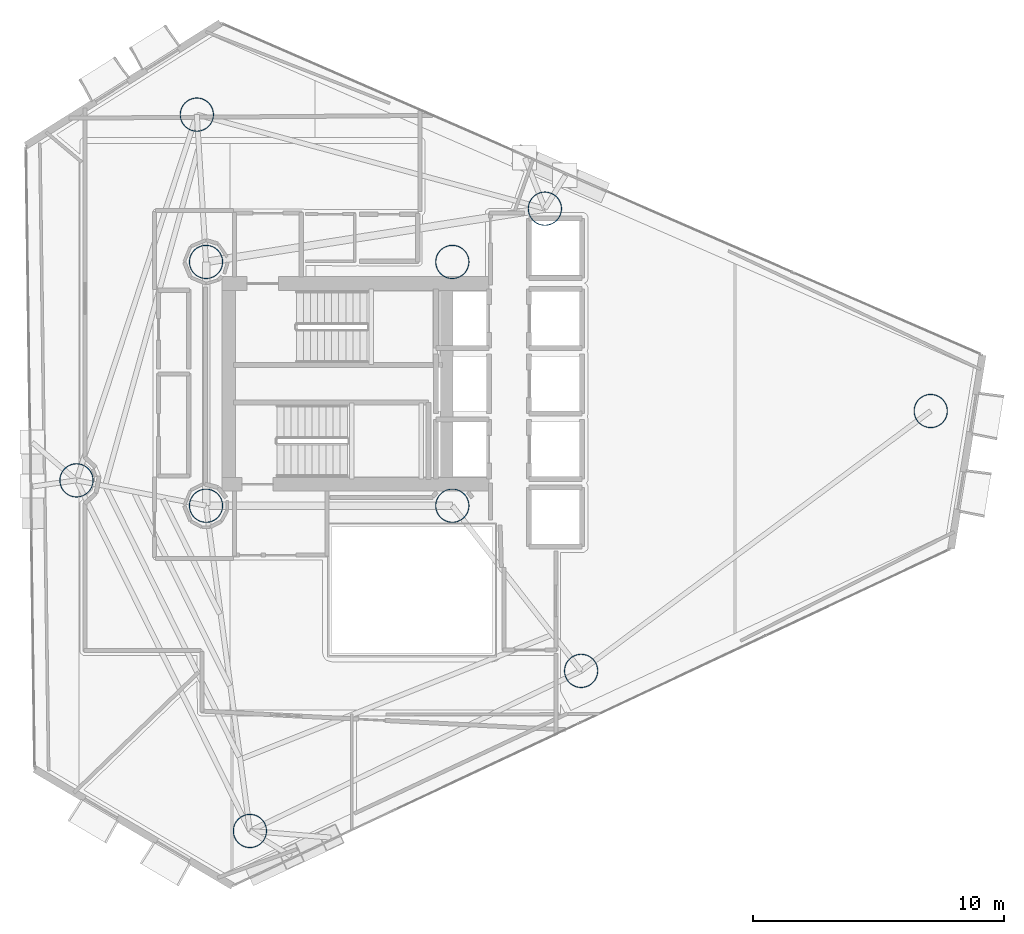
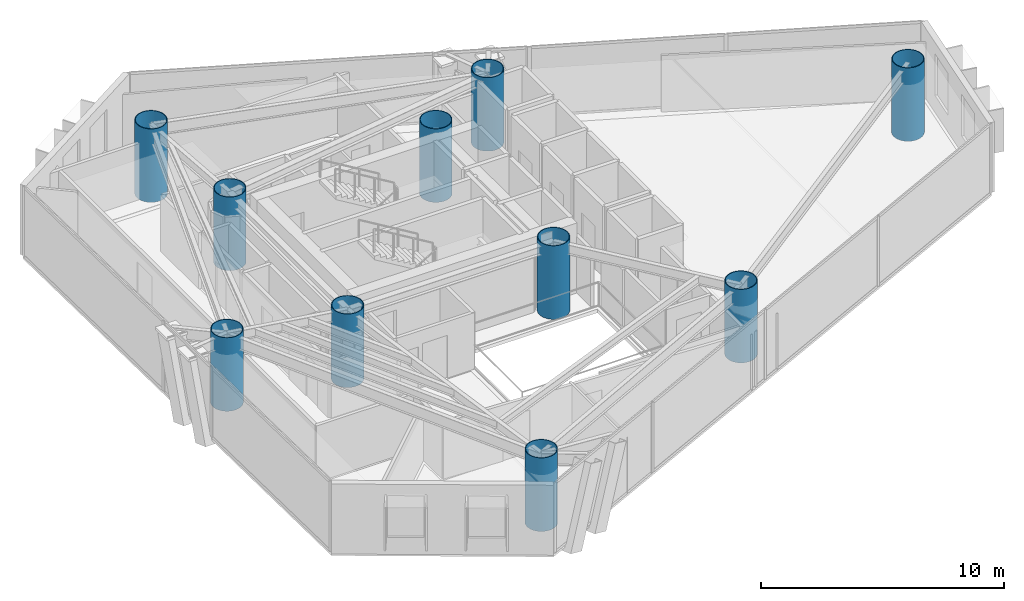
# One storey, part 1 of 20: 10 columns.
"""IFC4 building model written with IfcOpenShell, lengths in metres."""

from ifc_helpers import new_model, si_unit, direction, frame, origin, origin_2d, place, context, subcontext, project, spatial, hollow_circle, extrude, material, material_profile, profile_set, type_object, element, save


model = new_model("IFC4")

# Units and contexts
model_context = context("Model", 3, precision=1e-05, world=origin(), true_north=direction((0.0, 1.0)))
body_context = subcontext(model_context, "Body", "Model", "MODEL_VIEW")
ifc_project = project(units=[si_unit("LENGTHUNIT", "METRE"), si_unit("AREAUNIT", "SQUARE_METRE"), si_unit("VOLUMEUNIT", "CUBIC_METRE"), si_unit("PLANEANGLEUNIT", "RADIAN"), si_unit("MASSUNIT", "GRAM", prefix="KILO")], contexts=[model_context])

# Site, building, storey
site_placement = place(None, origin())
site = spatial("IfcSite", under=ifc_project, at=site_placement, CompositionType="ELEMENT")
building_placement = place(site_placement, origin())
building = spatial("IfcBuilding", under=site, at=building_placement, Name="Qianvela Tower", CompositionType="ELEMENT")
storey_placement = place(building_placement, frame((0.0, 0.0, 151.300048828125)))
storey = spatial("IfcBuildingStorey", under=building, at=storey_placement, Name="L38", CompositionType="ELEMENT", Elevation=151.300048828125)

# Columns
ifc_material = material(Name="Steel Q420GJC", Category="steel")
ifc_material_profile = material_profile(ifc_material, hollow_circle(Radius=0.675048828125, WallThickness=0.031982421875, at=origin_2d()), Name="CFT-1350x32")
ifc_profile_set = profile_set([ifc_material_profile], Name="Steel Q420GJC")
column_type = type_object("IfcColumnType", Name="COL-CFT-1350x32", PredefinedType="COLUMN", material=ifc_profile_set)
for number, where, z_axis, x_axis, name in (
    (1, (28.60009765625, 33.550048828125, 0.0), (0.0, 0.0, 1.0), (1.0, 0.0, 0.0), "L38 Core Corner Mega-Column CC-NW"),
    (2, (28.60009765625, 23.85009765625, 0.0), (0.0, 0.0, 1.0), (1.0, 0.0, 0.0), "L38 Core Corner Mega-Column CC-SW"),
    (3, (38.39990234375, 33.550048828125, 0.0), (0.0, 0.0, 1.0), (1.0, 0.0, 0.0), "L38 Core Corner Mega-Column CC-NE"),
    (4, (38.39990234375, 23.85009765625, 0.0), (0.0, 0.0, 1.0), (1.0, 0.0, 0.0), "L38 Core Corner Mega-Column CC-SE"),
    (5, (57.43408203125, 27.617919921875, 0.0), (0.0, 0.0, 1.0), (1.0, 0.0, 0.0), "L38 Zone Z4 CFT Mega-Column C1"),
    (6, (42.0830078125, 35.6689453125, 0.0), (0.0, 0.0, 1.0), (1.0, 0.0, 0.0), "L38 Zone Z4 CFT Mega-Column C2"),
    (7, (28.235107421875, 39.410888671875, 0.0), (0.0, 0.0, 1.0), (1.0, 0.0, 0.0), "L38 Zone Z4 CFT Mega-Column C3"),
    (8, (23.446044921875, 24.85888671875, 0.0), (0.0, 0.0, 1.0), (1.0, 0.0, 0.0), "L38 Zone Z4 CFT Mega-Column C4"),
    (9, (30.346923828125, 10.908935546875, 0.0), (0.0, 0.0, 1.0), (1.0, 0.0, 0.0), "L38 Zone Z4 CFT Mega-Column C5"),
    (10, (43.52490234375, 17.279052734375, 0.0), (0.0, 0.0, 1.0), (1.0, 0.0, 0.0), "L38 Zone Z4 CFT Mega-Column C6"),
):
    element("IfcColumn", number, at=place(storey_placement, frame(where, z_axis=z_axis, x_axis=x_axis)), inside=storey, type_object=column_type, Name=name, PredefinedType="COLUMN", context=body_context, shape_type="SweptSolid", body=[
        extrude(hollow_circle(Radius=0.675048828125, WallThickness=0.031982421875, at=origin_2d()), origin(), (0.0, 0.0, 1.0), 3.699951171875),
    ])

save(model, "model.ifc")
